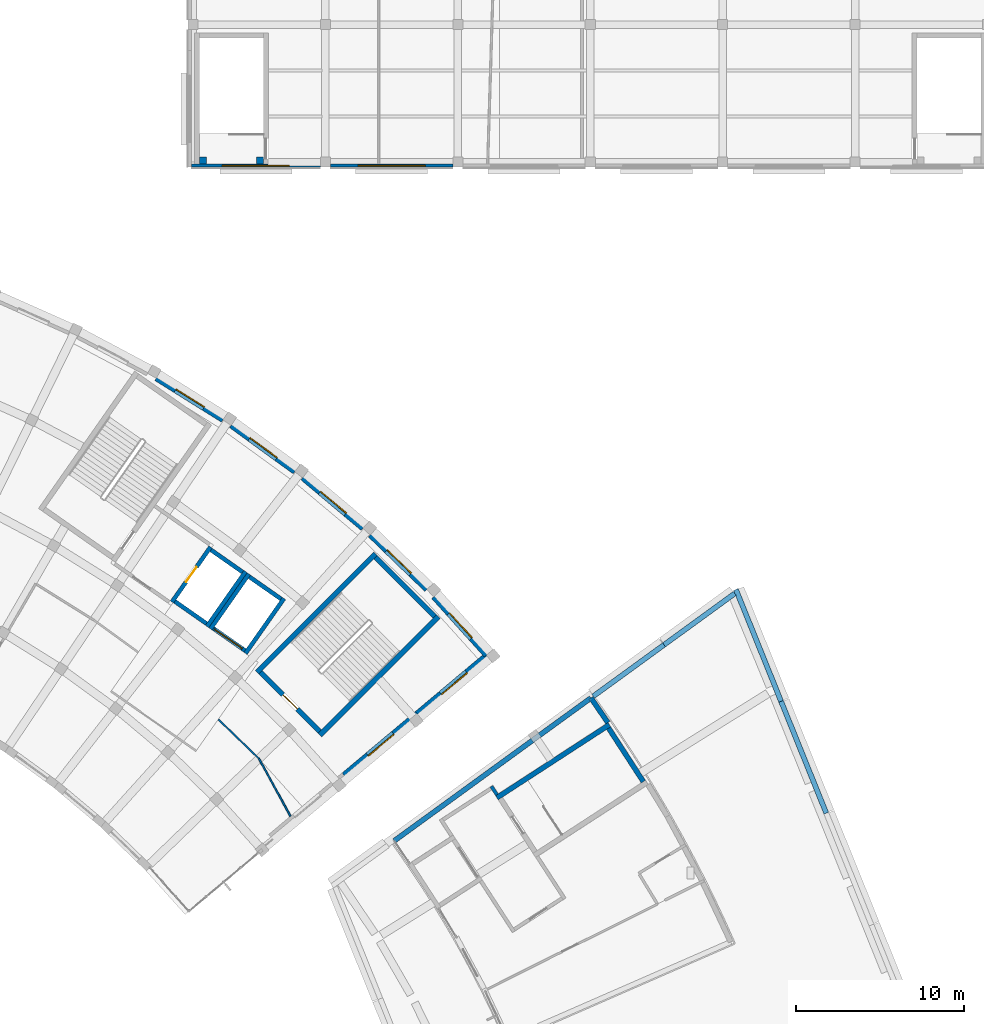
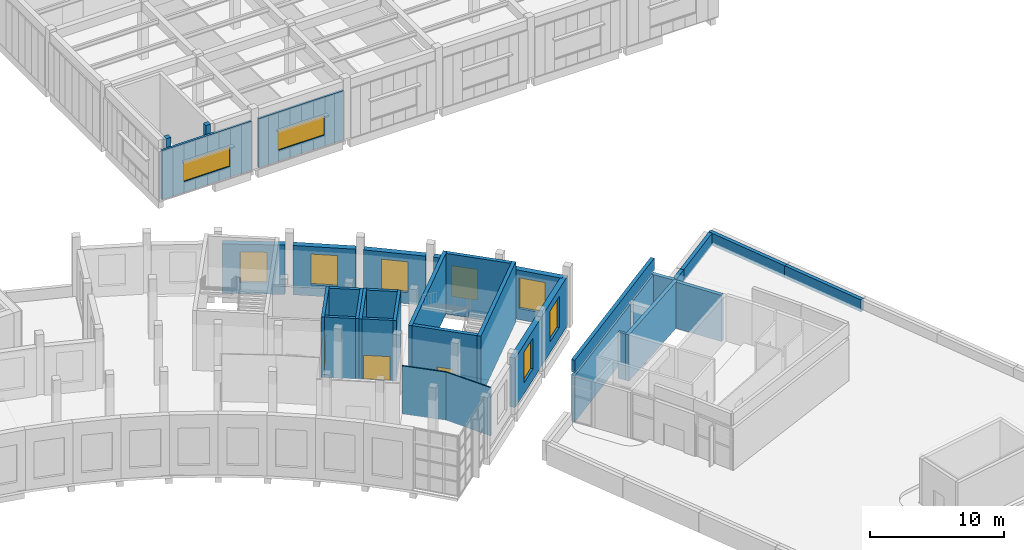
# One storey, part 80 of 132: 36 walls, 9 windows, 3 doors, 12 openings.
"""IFC4 building model written with IfcOpenShell, lengths in metres."""

from ifc_helpers import new_model, si_unit, direction, frame, frame_2d, origin, place, context, subcontext, project, spatial, rectangle, extrude, material, layer, layer_set, type_object, element, fill, save


model = new_model("IFC4")

# Units and contexts
model_context = context("Model", 3, precision=1e-05, world=origin(), true_north=direction((0.0, 1.0)))
body_context = subcontext(model_context, "Body", "Model", "MODEL_VIEW")
ifc_project = project(units=[si_unit("LENGTHUNIT", "METRE"), si_unit("AREAUNIT", "SQUARE_METRE"), si_unit("VOLUMEUNIT", "CUBIC_METRE"), si_unit("PLANEANGLEUNIT", "RADIAN"), si_unit("MASSUNIT", "GRAM", prefix="KILO")], contexts=[model_context])

# Site, building, storey
site_placement = place(None, origin())
site = spatial("IfcSite", under=ifc_project, at=site_placement, CompositionType="ELEMENT")
building_placement = place(site_placement, origin())
building = spatial("IfcBuilding", under=site, at=building_placement, Name="Lunette Opera House", CompositionType="ELEMENT")
storey_placement = place(building_placement, frame((0.0, 0.0, 17.0)))
storey = spatial("IfcBuildingStorey", under=building, at=storey_placement, Name="L03", CompositionType="ELEMENT", Elevation=17.0)

# Wall, opening, window
ifc_material_1 = material(Name="Clinker brick", Category="masonry")
ifc_layer_1 = layer(ifc_material_1, 0.449951171875)
ifc_layer_set_1 = layer_set([ifc_layer_1], Name="Clinker brick")
wall_type_1 = type_object("IfcWallType", Name="ARM END WALL 450", PredefinedType="SOLIDWALL", material=ifc_layer_set_1)
wall_1_placement = place(storey_placement, frame((145.342041015625, 41.697021484375, 0.0), z_axis=(0.0, 0.0, 1.0), x_axis=(0.766078586631, 0.642746916838, 0.0)))
wall_1 = element("IfcWall", 1, at=wall_1_placement, inside=storey, type_object=wall_type_1, Name="Arm End Wall 450 EN-E2 L03", PredefinedType="SOLIDWALL", context=body_context, shape_type="SweptSolid", body=[
    extrude(rectangle(XDim=5.69921875, YDim=0.449951171875, at=frame_2d((2.849609375, 0.0))), origin(), (0.0, 0.0, 1.0), 4.47998046875),
])
opening_1_placement = place(wall_1_placement, frame((1.85009765625, 0.0, 1.0)))
opening_1 = element("IfcOpeningElement", 2, at=opening_1_placement, cuts=wall_1, Name="Opening FC-N2102", PredefinedType="OPENING", context=body_context, shape_type="SweptSolid", body=[
    extrude(rectangle(XDim=2.0, YDim=2.800048828125, at=frame_2d((1.0, 1.39990234375))), frame((0.0, 0.237060546875, 0.0), z_axis=(0.0, -1.0, 0.0), x_axis=(1.0, 0.0, 0.0)), (0.0, 0.0, 1.0), 0.473876953125),
])
ifc_material_2 = material(Name="Aluminium", Category="aluminium")
window_type_1 = type_object("IfcWindowType", Name="ARM WINDOW 2000 X 2800", PartitioningType="DOUBLE_PANEL_VERTICAL", PredefinedType="WINDOW", material=ifc_material_2)
window_1_placement = place(opening_1_placement, origin())
window_1 = element("IfcWindow", 3, at=window_1_placement, inside=storey, type_object=window_type_1, Name="Arm Window 2000 X 2800 EN-E2 L03", OverallHeight=2.800048828125, OverallWidth=2.0, PartitioningType="DOUBLE_PANEL_VERTICAL", PredefinedType="WINDOW", context=body_context, shape_type="SweptSolid", body=[
    extrude(rectangle(XDim=2.0, YDim=2.800048828125, at=frame_2d((1.0, 1.39990234375))), frame((0.0, 0.030029296875, 0.0), z_axis=(0.0, -1.0, 0.0), x_axis=(1.0, 0.0, 0.0)), (0.0, 0.0, 1.0), 0.06005859375),
])
fill(opening_1, window_1)

wall_2_placement = place(storey_placement, frame((149.7080078125, 45.360107421875, 0.0), z_axis=(0.0, 0.0, 1.0), x_axis=(0.766086094987, 0.642737967657, 0.0)))
wall_2 = element("IfcWall", 4, at=wall_2_placement, inside=storey, type_object=wall_type_1, Name="Arm End Wall 450 EN-E3 L03", PredefinedType="SOLIDWALL", context=body_context, shape_type="SweptSolid", body=[
    extrude(rectangle(XDim=5.700439453125, YDim=0.449951171875, at=frame_2d((2.85009765625, 0.0))), origin(), (0.0, 0.0, 1.0), 4.47998046875),
])
opening_2_placement = place(wall_2_placement, frame((1.85009765625, 0.0, 1.0)))
opening_2 = element("IfcOpeningElement", 5, at=opening_2_placement, cuts=wall_2, Name="Opening FC-N2103", PredefinedType="OPENING", context=body_context, shape_type="SweptSolid", body=[
    extrude(rectangle(XDim=2.0, YDim=2.800048828125, at=frame_2d((1.0, 1.39990234375))), frame((0.0, 0.237060546875, 0.0), z_axis=(0.0, -1.0, 0.0), x_axis=(1.0, 0.0, 0.0)), (0.0, 0.0, 1.0), 0.473876953125),
])
window_2_placement = place(opening_2_placement, origin())
window_2 = element("IfcWindow", 6, at=window_2_placement, inside=storey, type_object=window_type_1, Name="Arm Window 2000 X 2800 EN-E3 L03", OverallHeight=2.800048828125, OverallWidth=2.0, PartitioningType="DOUBLE_PANEL_VERTICAL", PredefinedType="WINDOW", context=body_context, shape_type="SweptSolid", body=[
    extrude(rectangle(XDim=2.0, YDim=2.800048828125, at=frame_2d((1.0, 1.39990234375))), frame((0.0, 0.030029296875, 0.0), z_axis=(0.0, -1.0, 0.0), x_axis=(1.0, 0.0, 0.0)), (0.0, 0.0, 1.0), 0.06005859375),
])
fill(opening_2, window_2)

ifc_material_3 = material(Name="Clinker brick", Category="masonry")
ifc_layer_2 = layer(ifc_material_3, 0.449951171875)
ifc_layer_set_2 = layer_set([ifc_layer_2], Name="Clinker brick")
wall_type_2 = type_object("IfcWallType", Name="ARM RAIN SCREEN WALL 450", PredefinedType="SOLIDWALL", material=ifc_layer_set_2)
wall_3_placement = place(storey_placement, frame((134.14208984375, 65.464111328125, 0.0), z_axis=(0.0, 0.0, 1.0), x_axis=(0.84803632456, -0.529938102259, 0.0)))
wall_3 = element("IfcWall", 7, at=wall_3_placement, inside=storey, type_object=wall_type_2, Name="Arm Rain Screen Wall 450 BW-CE04 L03", PredefinedType="SOLIDWALL", context=body_context, shape_type="SweptSolid", body=[
    extrude(rectangle(XDim=4.689453125, YDim=0.449951171875, at=frame_2d((2.3447265625, 0.0))), origin(), (0.0, 0.0, 1.0), 4.47998046875),
])
opening_3_placement = place(wall_3_placement, frame((1.343994140625, 0.0, 1.0)))
opening_3 = element("IfcOpeningElement", 8, at=opening_3_placement, cuts=wall_3, Name="Opening FC-N2156", PredefinedType="OPENING", context=body_context, shape_type="SweptSolid", body=[
    extrude(rectangle(XDim=2.0, YDim=2.800048828125, at=frame_2d((1.0, 1.39990234375))), frame((0.0, 0.237060546875, 0.0), z_axis=(0.0, -1.0, 0.0), x_axis=(1.0, 0.0, 0.0)), (0.0, 0.0, 1.0), 0.473876953125),
])
window_3_placement = place(opening_3_placement, origin())
window_3 = element("IfcWindow", 9, at=window_3_placement, inside=storey, type_object=window_type_1, Name="Arm Window 2000 X 2800 BW-CE04 L03", OverallHeight=2.800048828125, OverallWidth=2.0, PartitioningType="DOUBLE_PANEL_VERTICAL", PredefinedType="WINDOW", context=body_context, shape_type="SweptSolid", body=[
    extrude(rectangle(XDim=2.0, YDim=2.800048828125, at=frame_2d((1.0, 1.39990234375))), frame((0.0, 0.030029296875, 0.0), z_axis=(0.0, -1.0, 0.0), x_axis=(1.0, 0.0, 0.0)), (0.0, 0.0, 1.0), 0.06005859375),
])
fill(opening_3, window_3)

wall_4_placement = place(storey_placement, frame((138.615966796875, 62.64404296875, 0.0), z_axis=(0.0, 0.0, 1.0), x_axis=(0.808981453193, -0.587834167423, 0.0)))
wall_4 = element("IfcWall", 10, at=wall_4_placement, inside=storey, type_object=wall_type_2, Name="Arm Rain Screen Wall 450 BW-CE05 L03", PredefinedType="SOLIDWALL", context=body_context, shape_type="SweptSolid", body=[
    extrude(rectangle(XDim=4.6884765625, YDim=0.449951171875, at=frame_2d((2.34423828125, 0.0))), origin(), (0.0, 0.0, 1.0), 4.47998046875),
])
opening_4_placement = place(wall_4_placement, frame((1.343994140625, 0.0, 1.0)))
opening_4 = element("IfcOpeningElement", 11, at=opening_4_placement, cuts=wall_4, Name="Opening FC-N2161", PredefinedType="OPENING", context=body_context, shape_type="SweptSolid", body=[
    extrude(rectangle(XDim=2.0, YDim=2.800048828125, at=frame_2d((1.0, 1.39990234375))), frame((0.0, 0.237060546875, 0.0), z_axis=(0.0, -1.0, 0.0), x_axis=(1.0, 0.0, 0.0)), (0.0, 0.0, 1.0), 0.473876953125),
])
window_4_placement = place(opening_4_placement, origin())
window_4 = element("IfcWindow", 12, at=window_4_placement, inside=storey, type_object=window_type_1, Name="Arm Window 2000 X 2800 BW-CE05 L03", OverallHeight=2.800048828125, OverallWidth=2.0, PartitioningType="DOUBLE_PANEL_VERTICAL", PredefinedType="WINDOW", context=body_context, shape_type="SweptSolid", body=[
    extrude(rectangle(XDim=2.0, YDim=2.800048828125, at=frame_2d((1.0, 1.39990234375))), frame((0.0, 0.030029296875, 0.0), z_axis=(0.0, -1.0, 0.0), x_axis=(1.0, 0.0, 0.0)), (0.0, 0.0, 1.0), 0.06005859375),
])
fill(opening_4, window_4)

wall_5_placement = place(storey_placement, frame((142.882080078125, 59.51904296875, 0.0), z_axis=(0.0, 0.0, 1.0), x_axis=(0.765928460401, -0.642925807187, 0.0)))
wall_5 = element("IfcWall", 13, at=wall_5_placement, inside=storey, type_object=wall_type_2, Name="Arm Rain Screen Wall 450 BW-CE06 L03", PredefinedType="SOLIDWALL", context=body_context, shape_type="SweptSolid", body=[
    extrude(rectangle(XDim=4.688232421875, YDim=0.449951171875, at=frame_2d((2.34423828125, 0.0))), origin(), (0.0, 0.0, 1.0), 4.47998046875),
])
opening_5_placement = place(wall_5_placement, frame((1.343994140625, 0.0, 1.0)))
opening_5 = element("IfcOpeningElement", 14, at=opening_5_placement, cuts=wall_5, Name="Opening FC-N2166", PredefinedType="OPENING", context=body_context, shape_type="SweptSolid", body=[
    extrude(rectangle(XDim=2.0, YDim=2.800048828125, at=frame_2d((1.0, 1.39990234375))), frame((0.0, 0.237060546875, 0.0), z_axis=(0.0, -1.0, 0.0), x_axis=(1.0, 0.0, 0.0)), (0.0, 0.0, 1.0), 0.473876953125),
])
window_5_placement = place(opening_5_placement, origin())
window_5 = element("IfcWindow", 15, at=window_5_placement, inside=storey, type_object=window_type_1, Name="Arm Window 2000 X 2800 BW-CE06 L03", OverallHeight=2.800048828125, OverallWidth=2.0, PartitioningType="DOUBLE_PANEL_VERTICAL", PredefinedType="WINDOW", context=body_context, shape_type="SweptSolid", body=[
    extrude(rectangle(XDim=2.0, YDim=2.800048828125, at=frame_2d((1.0, 1.39990234375))), frame((0.0, 0.030029296875, 0.0), z_axis=(0.0, -1.0, 0.0), x_axis=(1.0, 0.0, 0.0)), (0.0, 0.0, 1.0), 0.06005859375),
])
fill(opening_5, window_5)

wall_6_placement = place(storey_placement, frame((146.9189453125, 56.10400390625, 0.0), z_axis=(0.0, 0.0, 1.0), x_axis=(0.719260611584, -0.694740363462, 0.0)))
wall_6 = element("IfcWall", 16, at=wall_6_placement, inside=storey, type_object=wall_type_2, Name="Arm Rain Screen Wall 450 BW-CE07 L03", PredefinedType="SOLIDWALL", context=body_context, shape_type="SweptSolid", body=[
    extrude(rectangle(XDim=4.689697265625, YDim=0.449951171875, at=frame_2d((2.3447265625, 0.0))), origin(), (0.0, 0.0, 1.0), 4.47998046875),
])
opening_6_placement = place(wall_6_placement, frame((1.344970703125, 0.0, 1.0)))
opening_6 = element("IfcOpeningElement", 17, at=opening_6_placement, cuts=wall_6, Name="Opening FC-N2170", PredefinedType="OPENING", context=body_context, shape_type="SweptSolid", body=[
    extrude(rectangle(XDim=2.0, YDim=2.800048828125, at=frame_2d((1.0, 1.39990234375))), frame((0.0, 0.237060546875, 0.0), z_axis=(0.0, -1.0, 0.0), x_axis=(1.0, 0.0, 0.0)), (0.0, 0.0, 1.0), 0.473876953125),
])
window_6_placement = place(opening_6_placement, origin())
window_6 = element("IfcWindow", 18, at=window_6_placement, inside=storey, type_object=window_type_1, Name="Arm Window 2000 X 2800 BW-CE07 L03", OverallHeight=2.800048828125, OverallWidth=2.0, PartitioningType="DOUBLE_PANEL_VERTICAL", PredefinedType="WINDOW", context=body_context, shape_type="SweptSolid", body=[
    extrude(rectangle(XDim=2.0, YDim=2.800048828125, at=frame_2d((1.0, 1.39990234375))), frame((0.0, 0.030029296875, 0.0), z_axis=(0.0, -1.0, 0.0), x_axis=(1.0, 0.0, 0.0)), (0.0, 0.0, 1.0), 0.06005859375),
])
fill(opening_6, window_6)

wall_7_placement = place(storey_placement, frame((150.708984375, 52.4150390625, 0.0), z_axis=(0.0, 0.0, 1.0), x_axis=(0.669007879878, -0.74325531055, 0.0)))
wall_7 = element("IfcWall", 19, at=wall_7_placement, inside=storey, type_object=wall_type_2, Name="Arm Rain Screen Wall 450 BW-CE08 L03", PredefinedType="SOLIDWALL", context=body_context, shape_type="SweptSolid", body=[
    extrude(rectangle(XDim=4.68896484375, YDim=0.449951171875, at=frame_2d((2.344482421875, 0.0))), origin(), (0.0, 0.0, 1.0), 4.47998046875),
])
opening_7_placement = place(wall_7_placement, frame((1.344970703125, 0.0, 1.0)))
opening_7 = element("IfcOpeningElement", 20, at=opening_7_placement, cuts=wall_7, Name="Opening FC-N2175", PredefinedType="OPENING", context=body_context, shape_type="SweptSolid", body=[
    extrude(rectangle(XDim=2.0, YDim=2.800048828125, at=frame_2d((1.0, 1.39990234375))), frame((0.0, 0.237060546875, 0.0), z_axis=(0.0, -1.0, 0.0), x_axis=(1.0, 0.0, 0.0)), (0.0, 0.0, 1.0), 0.473876953125),
])
window_7_placement = place(opening_7_placement, origin())
window_7 = element("IfcWindow", 21, at=window_7_placement, inside=storey, type_object=window_type_1, Name="Arm Window 2000 X 2800 BW-CE08 L03", OverallHeight=2.800048828125, OverallWidth=2.0, PartitioningType="DOUBLE_PANEL_VERTICAL", PredefinedType="WINDOW", context=body_context, shape_type="SweptSolid", body=[
    extrude(rectangle(XDim=2.0, YDim=2.800048828125, at=frame_2d((1.0, 1.39990234375))), frame((0.0, 0.030029296875, 0.0), z_axis=(0.0, -1.0, 0.0), x_axis=(1.0, 0.0, 0.0)), (0.0, 0.0, 1.0), 0.06005859375),
])
fill(opening_7, window_7)

# Walls
ifc_material_4 = material(Name="Concrete C35/45", Category="concrete")
ifc_layer_3 = layer(ifc_material_4, 0.199951171875)
ifc_layer_set_3 = layer_set([ifc_layer_3], Name="Concrete C35/45")
wall_type_3 = type_object("IfcWallType", Name="LOBBY WALL 200", PredefinedType="PARTITIONING", material=ifc_layer_set_3)
wall_8_placement = place(storey_placement, frame((154.43798828125, 40.56103515625, 0.0), z_axis=(0.0, 0.0, 1.0), x_axis=(-0.545986914224, 0.837793703424, 0.0)))
element("IfcWall", 22, at=wall_8_placement, inside=storey, type_object=wall_type_3, Name="LL-ST lobby wall 3b", PredefinedType="PARTITIONING", context=body_context, shape_type="SweptSolid", body=[
    extrude(rectangle(XDim=0.60986328125, YDim=0.199951171875, at=frame_2d((0.304931640625, 0.0))), origin(), (0.0, 0.0, 1.0), 4.199951171875),
])
ifc_material_5 = material(Name="Insulated aluminium sandwich panel", Category="aluminium")
ifc_layer_4 = layer(ifc_material_5, 0.300048828125)
ifc_layer_set_4 = layer_set([ifc_layer_4], Name="Insulated aluminium sandwich panel")
wall_type_4 = type_object("IfcWallType", Name="PAVILION WALL 300", PredefinedType="SOLIDWALL", material=ifc_layer_set_4)
wall_9_placement = place(storey_placement, frame((160.0400390625, 46.343017578125, 0.0), z_axis=(0.0, 0.0, 1.0), x_axis=(-0.80891762334, -0.587922000481, 0.0)))
element("IfcWall", 23, at=wall_9_placement, inside=storey, type_object=wall_type_4, Name="Pavilion Wall 300 PAV1 L03", PredefinedType="SOLIDWALL", context=body_context, shape_type="SweptSolid", body=[
    extrude(rectangle(XDim=3.779296875, YDim=0.300048828125, at=frame_2d((1.8896484375, 0.0))), origin(), (0.0, 0.0, 1.0), 4.199951171875),
])
wall_10_placement = place(storey_placement, frame((156.5380859375, 43.798095703125, 0.0), z_axis=(0.0, 0.0, 1.0), x_axis=(-0.809003782437, -0.587803436536, 0.0)))
element("IfcWall", 24, at=wall_10_placement, inside=storey, type_object=wall_type_4, Name="Pavilion Wall 300 PAV2 L03", PredefinedType="SOLIDWALL", context=body_context, shape_type="SweptSolid", body=[
    extrude(rectangle(XDim=10.171875, YDim=0.300048828125, at=frame_2d((5.0859375, 0.0))), origin(), (0.0, 0.0, 1.0), 4.199951171875),
])
wall_11_placement = place(storey_placement, frame((161.047119140625, 44.8720703125, 0.0), z_axis=(0.0, 0.0, 1.0), x_axis=(-0.564929371643, 0.825139264037, 0.0)))
element("IfcWall", 25, at=wall_11_placement, inside=storey, type_object=wall_type_4, Name="Pavilion Wall 300 PAV12 L03", PredefinedType="SOLIDWALL", context=body_context, shape_type="SweptSolid", body=[
    extrude(rectangle(XDim=1.78271484375, YDim=0.300048828125, at=frame_2d((0.891357421875, 0.0))), origin(), (0.0, 0.0, 1.0), 4.199951171875),
])
ifc_material_6 = material(Name="Concrete C35/45", Category="concrete")
ifc_layer_5 = layer(ifc_material_6, 0.25)
ifc_layer_set_5 = layer_set([ifc_layer_5], Name="Concrete C35/45")
wall_type_5 = type_object("IfcWallType", Name="RC LIFT SHAFT WALL 250", PredefinedType="SOLIDWALL", material=ifc_layer_set_5)
wall_12_placement = place(storey_placement, frame((135.22509765625, 52.097900390625, 0.0), z_axis=(0.0, 0.0, 1.0), x_axis=(0.819366508838, -0.573270027295, 0.0)))
element("IfcWall", 26, at=wall_12_placement, inside=storey, type_object=wall_type_5, Name="FL1 shaft wall 1", PredefinedType="SOLIDWALL", context=body_context, shape_type="SweptSolid", body=[
    extrude(rectangle(XDim=2.300537109375, YDim=0.25, at=frame_2d((1.150390625, 0.0))), origin(), (0.0, 0.0, 1.0), 5.5),
])
wall_13_placement = place(storey_placement, frame((137.14111328125, 50.60498046875, 0.0), z_axis=(0.0, 0.0, 1.0), x_axis=(0.573572956461, 0.819154480923, 0.0)))
element("IfcWall", 27, at=wall_13_placement, inside=storey, type_object=wall_type_5, Name="FL1 shaft wall 2", PredefinedType="SOLIDWALL", context=body_context, shape_type="SweptSolid", body=[
    extrude(rectangle(XDim=3.99951171875, YDim=0.25, at=frame_2d((1.999755859375, 0.0))), origin(), (0.0, 0.0, 1.0), 5.5),
])
wall_14_placement = place(storey_placement, frame((139.260986328125, 53.85009765625, 0.0), z_axis=(0.0, 0.0, 1.0), x_axis=(-0.819226933165, 0.573469469089, 0.0)))
element("IfcWall", 28, at=wall_14_placement, inside=storey, type_object=wall_type_5, Name="FL1 shaft wall 3", PredefinedType="SOLIDWALL", context=body_context, shape_type="SweptSolid", body=[
    extrude(rectangle(XDim=2.2998046875, YDim=0.25, at=frame_2d((1.14990234375, 0.0))), origin(), (0.0, 0.0, 1.0), 5.5),
])

# Wall, opening, door
wall_15_placement = place(storey_placement, frame((137.345947265625, 55.343017578125, 0.0), z_axis=(0.0, 0.0, 1.0), x_axis=(-0.573736768582, -0.819039755065, 0.0)))
wall_15 = element("IfcWall", 29, at=wall_15_placement, inside=storey, type_object=wall_type_5, Name="FL1 shaft wall 4", PredefinedType="SOLIDWALL", context=body_context, shape_type="SweptSolid", body=[
    extrude(rectangle(XDim=4.0, YDim=0.25, at=frame_2d((2.0, 0.0))), origin(), (0.0, 0.0, 1.0), 5.5),
])
opening_8_placement = place(wall_15_placement, frame((1.449951171875, 0.0, 0.0)))
opening_8 = element("IfcOpeningElement", 30, at=opening_8_placement, cuts=wall_15, Name="Opening FC-LD005", PredefinedType="OPENING", context=body_context, shape_type="SweptSolid", body=[
    extrude(rectangle(XDim=1.10009765625, YDim=2.10009765625, at=frame_2d((0.550048828125, 1.050048828125))), frame((0.0, 0.136962890625, 0.0), z_axis=(0.0, -1.0, 0.0), x_axis=(1.0, 0.0, 0.0)), (0.0, 0.0, 1.0), 0.27392578125),
])
ifc_material_7 = material(Name="Stainless steel", Category="steel")
door_type_1 = type_object("IfcDoorType", Name="LIFT LANDING DOOR 1100 X 2100", OperationType="DOUBLE_DOOR_SLIDING", PredefinedType="DOOR", material=ifc_material_7)
door_1_placement = place(opening_8_placement, origin())
door_1 = element("IfcDoor", 31, at=door_1_placement, inside=storey, type_object=door_type_1, Name="FL1 lift landing door", OperationType="DOUBLE_DOOR_SLIDING", OverallHeight=2.10009765625, OverallWidth=1.10009765625, PredefinedType="DOOR", context=body_context, shape_type="SweptSolid", body=[
    extrude(rectangle(XDim=1.10009765625, YDim=2.10009765625, at=frame_2d((0.550048828125, 1.050048828125))), frame((0.0, 0.02490234375, 0.0), z_axis=(0.0, -1.0, 0.0), x_axis=(1.0, 0.0, 0.0)), (0.0, 0.0, 1.0), 0.050048828125),
])
fill(opening_8, door_1)

wall_16_placement = place(storey_placement, frame((137.51904296875, 50.491943359375, 0.0), z_axis=(0.0, 0.0, 1.0), x_axis=(0.819366508838, -0.573270027295, 0.0)))
wall_16 = element("IfcWall", 32, at=wall_16_placement, inside=storey, type_object=wall_type_5, Name="LF2 shaft wall 1", PredefinedType="SOLIDWALL", context=body_context, shape_type="SweptSolid", body=[
    extrude(rectangle(XDim=2.300537109375, YDim=0.25, at=frame_2d((1.150390625, 0.0))), origin(), (0.0, 0.0, 1.0), 5.5),
])
opening_9_placement = place(wall_16_placement, frame((0.10009765625, 0.0, 0.0)))
opening_9 = element("IfcOpeningElement", 33, at=opening_9_placement, cuts=wall_16, Name="Opening FC-LD023", PredefinedType="OPENING", context=body_context, shape_type="SweptSolid", body=[
    extrude(rectangle(XDim=2.0, YDim=2.199951171875, at=frame_2d((1.0, 1.10009765625))), frame((0.0, 0.136962890625, 0.0), z_axis=(0.0, -1.0, 0.0), x_axis=(1.0, 0.0, 0.0)), (0.0, 0.0, 1.0), 0.27392578125),
])
ifc_material_8 = material(Name="Stainless steel", Category="steel")
door_type_2 = type_object("IfcDoorType", Name="LIFT LANDING DOOR 2000 X 2200", OperationType="DOUBLE_DOOR_SLIDING", PredefinedType="DOOR", material=ifc_material_8)
door_2_placement = place(opening_9_placement, origin())
door_2 = element("IfcDoor", 34, at=door_2_placement, inside=storey, type_object=door_type_2, Name="LF2 lift landing door", OperationType="DOUBLE_DOOR_SLIDING", OverallHeight=2.199951171875, OverallWidth=2.0, PredefinedType="DOOR", context=body_context, shape_type="SweptSolid", body=[
    extrude(rectangle(XDim=2.0, YDim=2.199951171875, at=frame_2d((1.0, 1.10009765625))), frame((0.0, 0.02490234375, 0.0), z_axis=(0.0, -1.0, 0.0), x_axis=(1.0, 0.0, 0.0)), (0.0, 0.0, 1.0), 0.050048828125),
])
fill(opening_9, door_2)

# Walls
wall_17_placement = place(storey_placement, frame((139.43505859375, 48.9990234375, 0.0), z_axis=(0.0, 0.0, 1.0), x_axis=(0.57360163893, 0.819134396675, 0.0)))
element("IfcWall", 35, at=wall_17_placement, inside=storey, type_object=wall_type_5, Name="LF2 shaft wall 2", PredefinedType="SOLIDWALL", context=body_context, shape_type="SweptSolid", body=[
    extrude(rectangle(XDim=3.999267578125, YDim=0.25, at=frame_2d((1.99951171875, 0.0))), origin(), (0.0, 0.0, 1.0), 5.5),
])
wall_18_placement = place(storey_placement, frame((141.554931640625, 52.243896484375, 0.0), z_axis=(0.0, 0.0, 1.0), x_axis=(-0.819316661421, 0.57334126689, 0.0)))
element("IfcWall", 36, at=wall_18_placement, inside=storey, type_object=wall_type_5, Name="LF2 shaft wall 3", PredefinedType="SOLIDWALL", context=body_context, shape_type="SweptSolid", body=[
    extrude(rectangle(XDim=2.30078125, YDim=0.25, at=frame_2d((1.150390625, 0.0))), origin(), (0.0, 0.0, 1.0), 5.5),
])
wall_19_placement = place(storey_placement, frame((139.638916015625, 53.737060546875, 0.0), z_axis=(0.0, 0.0, 1.0), x_axis=(-0.573572956461, -0.819154480923, 0.0)))
element("IfcWall", 37, at=wall_19_placement, inside=storey, type_object=wall_type_5, Name="LF2 shaft wall 4", PredefinedType="SOLIDWALL", context=body_context, shape_type="SweptSolid", body=[
    extrude(rectangle(XDim=3.99951171875, YDim=0.25, at=frame_2d((1.999755859375, 0.0))), origin(), (0.0, 0.0, 1.0), 5.5),
])
ifc_material_9 = material(Name="Concrete C35/45", Category="concrete")
ifc_layer_6 = layer(ifc_material_9, 0.39990234375)
ifc_layer_set_6 = layer_set([ifc_layer_6], Name="Concrete C35/45")
wall_type_6 = type_object("IfcWallType", Name="RC PILASTER 400", PredefinedType="SOLIDWALL", material=ifc_layer_set_6)
wall_20_placement = place(storey_placement, frame((136.699951171875, 78.39990234375, 0.0), z_axis=(0.0, 0.0, 1.0), x_axis=(1.0, 0.0, 0.0)))
element("IfcWall", 38, at=wall_20_placement, inside=storey, type_object=wall_type_6, Name="ST18 pilaster 1", PredefinedType="SOLIDWALL", context=body_context, shape_type="SweptSolid", body=[
    extrude(rectangle(XDim=0.400146484375, YDim=0.39990234375, at=frame_2d((0.2001953125, 0.0))), origin(), (0.0, 0.0, 1.0), 5.25),
])
wall_21_placement = place(storey_placement, frame((140.10009765625, 78.39990234375, 0.0), z_axis=(0.0, 0.0, 1.0), x_axis=(1.0, 0.0, 0.0)))
element("IfcWall", 39, at=wall_21_placement, inside=storey, type_object=wall_type_6, Name="ST18 pilaster 2", PredefinedType="SOLIDWALL", context=body_context, shape_type="SweptSolid", body=[
    extrude(rectangle(XDim=0.39990234375, YDim=0.39990234375, at=frame_2d((0.199951171875, 0.0))), origin(), (0.0, 0.0, 1.0), 5.25),
])
ifc_material_10 = material(Name="Concrete C35/45", Category="concrete")
ifc_layer_7 = layer(ifc_material_10, 0.300048828125)
ifc_layer_set_7 = layer_set([ifc_layer_7], Name="Concrete C35/45")
wall_type_7 = type_object("IfcWallType", Name="RC STAIR ENCLOSURE WALL 300", PredefinedType="SOLIDWALL", material=ifc_layer_set_7)
wall_22_placement = place(storey_placement, frame((163.1640625, 41.35107421875, 0.0), z_axis=(0.0, 0.0, 1.0), x_axis=(-0.544414712312, 0.838816202167, 0.0)))
element("IfcWall", 40, at=wall_22_placement, inside=storey, type_object=wall_type_7, Name="ST21 enclosure wall 3", PredefinedType="SOLIDWALL", context=body_context, shape_type="SweptSolid", body=[
    extrude(rectangle(XDim=3.800537109375, YDim=0.300048828125, at=frame_2d((1.900390625, 0.0))), origin(), (0.0, 0.0, 1.0), 4.199951171875),
])
wall_23_placement = place(storey_placement, frame((161.138916015625, 44.74609375, 0.0), z_axis=(0.0, 0.0, 1.0), x_axis=(-0.838633189021, -0.544696589187, 0.0)))
element("IfcWall", 41, at=wall_23_placement, inside=storey, type_object=wall_type_7, Name="ST21 enclosure wall 4", PredefinedType="SOLIDWALL", context=body_context, shape_type="SweptSolid", body=[
    extrude(rectangle(XDim=8.0009765625, YDim=0.300048828125, at=frame_2d((4.00048828125, 0.0))), origin(), (0.0, 0.0, 1.0), 4.199951171875),
])

# Wall, opening, door
wall_24_placement = place(storey_placement, frame((140.3349609375, 47.87109375, 0.0), z_axis=(0.0, 0.0, 1.0), x_axis=(0.707106781187, -0.707106781187, 0.0)))
wall_24 = element("IfcWall", 42, at=wall_24_placement, inside=storey, type_object=wall_type_7, Name="ST4 enclosure wall 1", PredefinedType="SOLIDWALL", context=body_context, shape_type="SweptSolid", body=[
    extrude(rectangle(XDim=5.000732421875, YDim=0.300048828125, at=frame_2d((2.50048828125, 0.0))), origin(), (0.0, 0.0, 1.0), 5.5),
])
opening_10_placement = place(wall_24_placement, frame((1.89990234375, 0.0, 0.0)))
opening_10 = element("IfcOpeningElement", 43, at=opening_10_placement, cuts=wall_24, Name="Opening FC-D7029", PredefinedType="OPENING", context=body_context, shape_type="SweptSolid", body=[
    extrude(rectangle(XDim=1.199951171875, YDim=2.10009765625, at=frame_2d((0.60009765625, 1.050048828125))), frame((0.0, 0.162109375, 0.0), z_axis=(0.0, -1.0, 0.0), x_axis=(1.0, 0.0, 0.0)), (0.0, 0.0, 1.0), 0.323974609375),
])
ifc_material_11 = material(Name="Steel", Category="steel")
door_type_3 = type_object("IfcDoorType", Name="FIRE DOOR 1200 X 2100", OperationType="SINGLE_SWING_LEFT", PredefinedType="DOOR", material=ifc_material_11)
door_3_placement = place(opening_10_placement, origin())
door_3 = element("IfcDoor", 44, at=door_3_placement, inside=storey, type_object=door_type_3, Name="ST4 stair door", OperationType="SINGLE_SWING_LEFT", OverallHeight=2.10009765625, OverallWidth=1.199951171875, PredefinedType="DOOR", context=body_context, shape_type="SweptSolid", body=[
    extrude(rectangle(XDim=1.199951171875, YDim=2.10009765625, at=frame_2d((0.60009765625, 1.050048828125))), frame((0.0, 0.02490234375, 0.0), z_axis=(0.0, -1.0, 0.0), x_axis=(1.0, 0.0, 0.0)), (0.0, 0.0, 1.0), 0.050048828125),
])
fill(opening_10, door_3)

# Walls
wall_25_placement = place(storey_placement, frame((143.87109375, 44.123046875, 0.0), z_axis=(0.0, 0.0, 1.0), x_axis=(0.7070945738, 0.707118988363, 0.0)))
element("IfcWall", 45, at=wall_25_placement, inside=storey, type_object=wall_type_7, Name="ST4 enclosure wall 2", PredefinedType="SOLIDWALL", context=body_context, shape_type="SweptSolid", body=[
    extrude(rectangle(XDim=9.999755859375, YDim=0.300048828125, at=frame_2d((5.0, 0.0))), origin(), (0.0, 0.0, 1.0), 5.5),
])
wall_26_placement = place(storey_placement, frame((150.72998046875, 51.194091796875, 0.0), z_axis=(0.0, 0.0, 1.0), x_axis=(-0.707106781187, 0.707106781187, 0.0)))
element("IfcWall", 46, at=wall_26_placement, inside=storey, type_object=wall_type_7, Name="ST4 enclosure wall 3", PredefinedType="SOLIDWALL", context=body_context, shape_type="SweptSolid", body=[
    extrude(rectangle(XDim=5.00048828125, YDim=0.300048828125, at=frame_2d((2.500244140625, 0.0))), origin(), (0.0, 0.0, 1.0), 5.5),
])
wall_27_placement = place(storey_placement, frame((147.194091796875, 54.94189453125, 0.0), z_axis=(0.0, 0.0, 1.0), x_axis=(-0.707118988363, -0.7070945738, 0.0)))
element("IfcWall", 47, at=wall_27_placement, inside=storey, type_object=wall_type_7, Name="ST4 enclosure wall 4", PredefinedType="SOLIDWALL", context=body_context, shape_type="SweptSolid", body=[
    extrude(rectangle(XDim=9.999755859375, YDim=0.300048828125, at=frame_2d((5.0, 0.0))), origin(), (0.0, 0.0, 1.0), 5.5),
])
ifc_material_12 = material(Name="Clinker brick", Category="masonry")
ifc_layer_8 = layer(ifc_material_12, 0.300048828125)
ifc_layer_set_8 = layer_set([ifc_layer_8], Name="Clinker brick")
wall_type_8 = type_object("IfcWallType", Name="ROOF PARAPET WALL 300", PredefinedType="PARAPET", material=ifc_layer_set_8)
wall_28_placement = place(storey_placement, frame((174.077880859375, 39.466064453125, 0.0), z_axis=(0.0, 0.0, 1.0), x_axis=(-0.374606695827, 0.92718381319, 0.0)))
element("IfcWall", 48, at=wall_28_placement, inside=storey, type_object=wall_type_8, Name="Roof Parapet Wall 300 PA-L02-13 L03", PredefinedType="PARAPET", context=body_context, shape_type="SweptSolid", body=[
    extrude(rectangle(XDim=7.19384765625, YDim=0.300048828125, at=frame_2d((3.596923828125, 0.0))), origin(), (0.0, 0.0, 1.0), 1.10009765625),
])
wall_29_placement = place(storey_placement, frame((171.383056640625, 46.135986328125, 0.0), z_axis=(0.0, 0.0, 1.0), x_axis=(-0.374519164618, 0.927219173299, 0.0)))
element("IfcWall", 49, at=wall_29_placement, inside=storey, type_object=wall_type_8, Name="Roof Parapet Wall 300 PA-L02-14 L03", PredefinedType="PARAPET", context=body_context, shape_type="SweptSolid", body=[
    extrude(rectangle(XDim=7.193359375, YDim=0.300048828125, at=frame_2d((3.5966796875, 0.0))), origin(), (0.0, 0.0, 1.0), 1.10009765625),
])
for number, where, z_axis, x_axis, name in (
    (50, (168.623046875, 52.5791015625, 0.0), (0.0, 0.0, 1.0), (-0.808879663713, -0.587974225312, 0.0), "Roof Parapet Wall 300 PA-L02-15 L03"),
    (51, (164.40087890625, 49.510009765625, 0.0), (0.0, 0.0, 1.0), (-0.809017130201, -0.587785065343, 0.0), "Roof Parapet Wall 300 PA-L02-16 L03"),
):
    element("IfcWall", number, at=place(storey_placement, frame(where, z_axis=z_axis, x_axis=x_axis)), inside=storey, type_object=wall_type_8, Name=name, PredefinedType="PARAPET", context=body_context, shape_type="SweptSolid", body=[
        extrude(rectangle(XDim=5.2197265625, YDim=0.300048828125, at=frame_2d((2.60986328125, 0.0))), origin(), (0.0, 0.0, 1.0), 1.10009765625),
    ])
wall_30_placement = place(storey_placement, frame((160.0400390625, 46.343017578125, 4.5), z_axis=(0.0, 0.0, 1.0), x_axis=(-0.808987918733, -0.587825269399, 0.0)))
element("IfcWall", 52, at=wall_30_placement, inside=storey, type_object=wall_type_8, Name="Roof Parapet Wall 300 PAVPA1 L03", PredefinedType="PARAPET", context=body_context, shape_type="SweptSolid", body=[
    extrude(rectangle(XDim=14.500732421875, YDim=0.300048828125, at=frame_2d((7.25048828125, 0.0))), origin(), (0.0, 0.0, 1.0), 1.10009765625),
])
ifc_material_13 = material(Name="Gypsum board on steel studs", Category="steel")
ifc_layer_9 = layer(ifc_material_13, 0.10009765625)
ifc_layer_set_9 = layer_set([ifc_layer_9], Name="Gypsum board on steel studs")
wall_type_9 = type_object("IfcWallType", Name="STUD PARTITION 100", PredefinedType="PARTITIONING", material=ifc_layer_set_9)
wall_31_placement = place(storey_placement, frame((140.239013671875, 42.720947265625, 0.0), z_axis=(0.0, 0.0, 1.0), x_axis=(0.479690824027, -0.877437583731, 0.0)))
element("IfcWall", 53, at=wall_31_placement, inside=storey, type_object=wall_type_9, Name="Partition Second Tier Foyer Rear", PredefinedType="PARTITIONING", context=body_context, shape_type="SweptSolid", body=[
    extrude(rectangle(XDim=3.914794921875, YDim=0.10009765625, at=frame_2d((1.95751953125, 0.0))), origin(), (0.0, 0.0, 1.0), 4.3798828125),
])
wall_32_placement = place(storey_placement, frame((137.81103515625, 45.06689453125, 0.0), z_axis=(0.0, 0.0, 1.0), x_axis=(0.719150966755, -0.694853860186, 0.0)))
element("IfcWall", 54, at=wall_32_placement, inside=storey, type_object=wall_type_9, Name="Partition Second Tier Foyer Rear", PredefinedType="PARTITIONING", context=body_context, shape_type="SweptSolid", body=[
    extrude(rectangle(XDim=3.376220703125, YDim=0.10009765625, at=frame_2d((1.68798828125, 0.0))), origin(), (0.0, 0.0, 1.0), 4.3798828125),
])

# Wall, opening, window
ifc_material_14 = material(Name="Insulated aluminium sandwich panel", Category="aluminium")
ifc_layer_10 = layer(ifc_material_14, 0.199951171875)
ifc_layer_set_10 = layer_set([ifc_layer_10], Name="Insulated aluminium sandwich panel")
wall_type_10 = type_object("IfcWallType", Name="WORKSHOP METAL PANEL WALL 200", PredefinedType="SOLIDWALL", material=ifc_layer_set_10)
wall_33_placement = place(storey_placement, frame((136.199951171875, 78.10009765625, 0.0), z_axis=(0.0, 0.0, 1.0), x_axis=(1.0, 0.0, 0.0)))
wall_33 = element("IfcWall", 55, at=wall_33_placement, inside=storey, type_object=wall_type_10, Name="Workshop Metal Panel Wall 200 F11 L03", PredefinedType="SOLIDWALL", context=body_context, shape_type="SweptSolid", body=[
    extrude(rectangle(XDim=7.699951171875, YDim=0.199951171875, at=frame_2d((3.85009765625, 0.0))), origin(), (0.0, 0.0, 1.0), 4.449951171875),
])
opening_11_placement = place(wall_33_placement, frame((1.85009765625, 0.0, 1.0)))
opening_11 = element("IfcOpeningElement", 56, at=opening_11_placement, cuts=wall_33, Name="Opening WW-N2040", PredefinedType="OPENING", context=body_context, shape_type="SweptSolid", body=[
    extrude(rectangle(XDim=4.0, YDim=1.800048828125, at=frame_2d((2.0, 0.89990234375))), frame((0.0, 0.112060546875, 0.0), z_axis=(0.0, -1.0, 0.0), x_axis=(1.0, 0.0, 0.0)), (0.0, 0.0, 1.0), 0.223876953125),
])
ifc_material_15 = material(Name="Aluminium", Category="aluminium")
window_type_2 = type_object("IfcWindowType", Name="WORKSHOP RIBBON WINDOW 4000 X 1800", PartitioningType="DOUBLE_PANEL_VERTICAL", PredefinedType="WINDOW", material=ifc_material_15)
window_8_placement = place(opening_11_placement, origin())
window_8 = element("IfcWindow", 57, at=window_8_placement, inside=storey, type_object=window_type_2, Name="Workshop Ribbon Window 4000 X 1800 F11 L03", OverallHeight=1.800048828125, OverallWidth=4.0, PartitioningType="DOUBLE_PANEL_VERTICAL", PredefinedType="WINDOW", context=body_context, shape_type="SweptSolid", body=[
    extrude(rectangle(XDim=4.0, YDim=1.800048828125, at=frame_2d((2.0, 0.89990234375))), frame((0.0, 0.030029296875, 0.0), z_axis=(0.0, -1.0, 0.0), x_axis=(1.0, 0.0, 0.0)), (0.0, 0.0, 1.0), 0.06005859375),
])
fill(opening_11, window_8)

wall_34_placement = place(storey_placement, frame((144.5, 78.10009765625, 0.0), z_axis=(0.0, 0.0, 1.0), x_axis=(1.0, 0.0, 0.0)))
wall_34 = element("IfcWall", 58, at=wall_34_placement, inside=storey, type_object=wall_type_10, Name="Workshop Metal Panel Wall 200 F12 L03", PredefinedType="SOLIDWALL", context=body_context, shape_type="SweptSolid", body=[
    extrude(rectangle(XDim=7.300048828125, YDim=0.199951171875, at=frame_2d((3.64990234375, 0.0))), origin(), (0.0, 0.0, 1.0), 4.449951171875),
])
opening_12_placement = place(wall_34_placement, frame((1.64990234375, 0.0, 1.0)))
opening_12 = element("IfcOpeningElement", 59, at=opening_12_placement, cuts=wall_34, Name="Opening WW-N2041", PredefinedType="OPENING", context=body_context, shape_type="SweptSolid", body=[
    extrude(rectangle(XDim=4.0, YDim=1.800048828125, at=frame_2d((2.0, 0.89990234375))), frame((0.0, 0.112060546875, 0.0), z_axis=(0.0, -1.0, 0.0), x_axis=(1.0, 0.0, 0.0)), (0.0, 0.0, 1.0), 0.223876953125),
])
window_9_placement = place(opening_12_placement, origin())
window_9 = element("IfcWindow", 60, at=window_9_placement, inside=storey, type_object=window_type_2, Name="Workshop Ribbon Window 4000 X 1800 F12 L03", OverallHeight=1.800048828125, OverallWidth=4.0, PartitioningType="DOUBLE_PANEL_VERTICAL", PredefinedType="WINDOW", context=body_context, shape_type="SweptSolid", body=[
    extrude(rectangle(XDim=4.0, YDim=1.800048828125, at=frame_2d((2.0, 0.89990234375))), frame((0.0, 0.030029296875, 0.0), z_axis=(0.0, -1.0, 0.0), x_axis=(1.0, 0.0, 0.0)), (0.0, 0.0, 1.0), 0.06005859375),
])
fill(opening_12, window_9)

save(model, "model.ifc")
